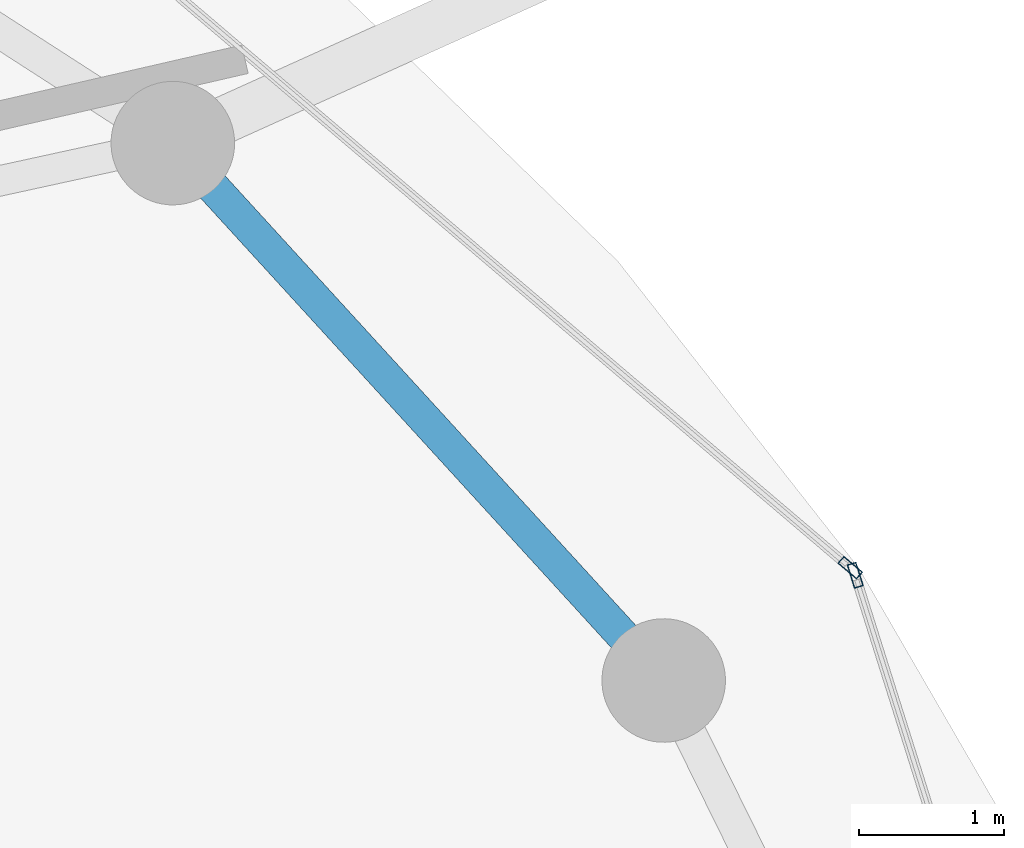
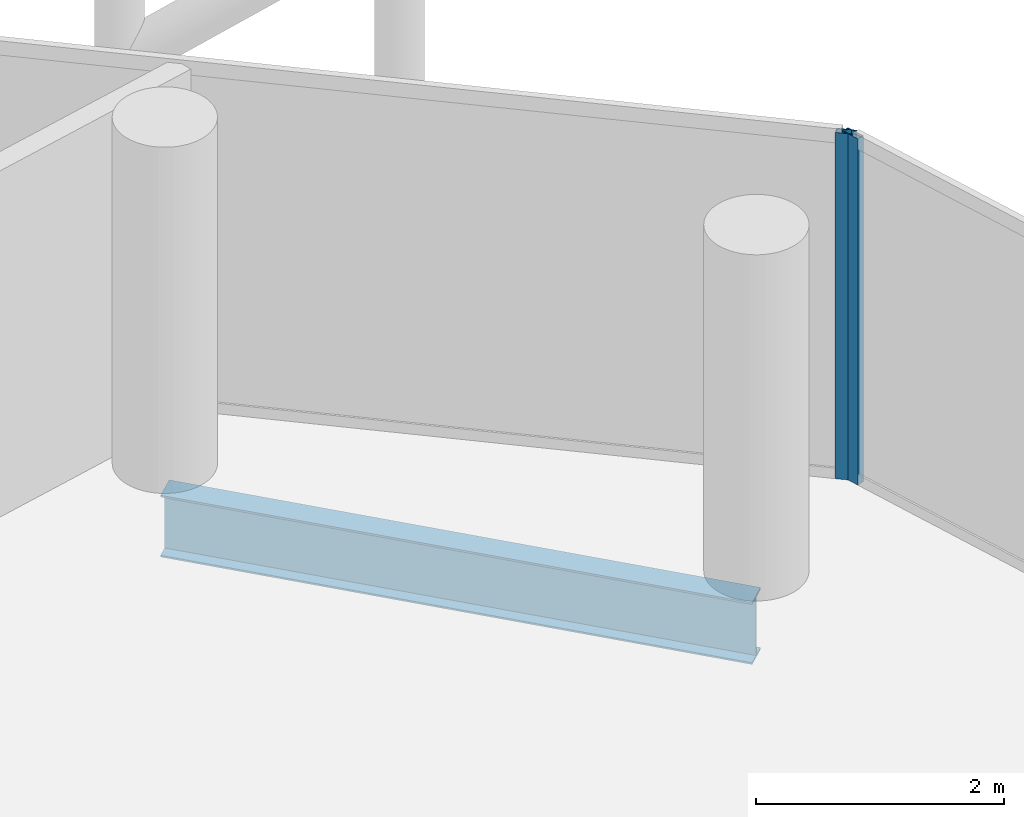
# One storey, part 17 of 27: 2 members, 1 beam, 2 elements without a shape of their own.
"""IFC4 building model written with IfcOpenShell, lengths in metres."""

import ifcopenshell
import ifcopenshell.guid

model = None  # the IFC model being written
_history = None  # IfcOwnerHistory: only IFC2X3 demands one
_inside = {}  # id of a spatial element -> (the spatial element, [elements in it])
_under = {}  # id of a project, library or spatial element -> (it, [spatial elements below it])
_declared = {}  # id of a project -> (the project, [libraries it declares])
_typed = {}  # id of a type object -> (the type object, [elements of that type])
_made_of = {}  # id of a material, layer set ... -> (it, [elements and type objects made of it])


def new_model(schema):
    """Start an empty IFC model of exactly this schema.

    Asked for "IFC4X3", IfcOpenShell would pick the latest addendum, in which some entities
    have other attributes; the version numbers below select the first issue.
    IFC2X3 requires an IfcOwnerHistory on every rooted entity: one is made here for all.
    """
    global model, _history
    if schema == "IFC4X3":
        model = ifcopenshell.file(schema_version=(4, 3, 0, 0))
    else:
        model = ifcopenshell.file(schema=schema)
    _inside.clear()
    _under.clear()
    _declared.clear()
    _typed.clear()
    _made_of.clear()
    _history = None
    if model.schema == "IFC2X3":
        org = make("IfcOrganization", Name="unknown")
        user = make(
            "IfcPersonAndOrganization",
            ThePerson=make("IfcPerson", FamilyName="unknown"),
            TheOrganization=org,
        )
        app = make(
            "IfcApplication",
            ApplicationDeveloper=org,
            Version="unknown",
            ApplicationFullName="unknown",
            ApplicationIdentifier="unknown",
        )
        _history = make(
            "IfcOwnerHistory",
            OwningUser=user,
            OwningApplication=app,
            ChangeAction="ADDED",
            CreationDate=0,
        )
    return model


def make(cls, **values):
    """One entity of the class cls with the attributes given. An attribute that is None is left unset."""
    return model.create_entity(
        cls, **{name: value for name, value in values.items() if value is not None}
    )


def rooted(cls, **values):
    """An entity with a GlobalId (a new one), such as an element, a storey or a relation."""
    return make(cls, GlobalId=ifcopenshell.guid.new(), OwnerHistory=_history, **values)


def si_unit(unit_type, name, prefix=None):
    """IfcSIUnit, for example si_unit("LENGTHUNIT", "METRE", prefix="MILLI")."""
    return make("IfcSIUnit", UnitType=unit_type, Prefix=prefix, Name=name)


def assignment(units):
    """IfcUnitAssignment: the units of a project."""
    return None if units is None else make("IfcUnitAssignment", Units=units)


def point(xyz):
    """IfcCartesianPoint."""
    return None if xyz is None else make("IfcCartesianPoint", Coordinates=xyz)


def direction(xyz):
    """IfcDirection."""
    return None if xyz is None else make("IfcDirection", DirectionRatios=xyz)


def frame(location, z_axis=None, x_axis=None):
    """IfcAxis2Placement3D, a coordinate frame: its origin and axes. An axis left out is left unset."""
    return make(
        "IfcAxis2Placement3D",
        Location=point(location),
        Axis=direction(z_axis),
        RefDirection=direction(x_axis),
    )


def frame_2d(location, x_axis=None):
    """IfcAxis2Placement2D, a coordinate frame in the plane: its origin and x axis."""
    return make(
        "IfcAxis2Placement2D", Location=point(location), RefDirection=direction(x_axis)
    )


def origin():
    """The frame at (0, 0, 0) with its axes left unset."""
    return frame((0.0, 0.0, 0.0))


def origin_2d():
    """The frame at (0, 0) in the plane with its x axis left unset."""
    return frame_2d((0.0, 0.0))


def place(relative_to, where):
    """IfcLocalPlacement: puts the frame where relative to a parent placement (None: the world)."""
    return make(
        "IfcLocalPlacement", PlacementRelTo=relative_to, RelativePlacement=where
    )


def context(
    kind, dimensions, precision=None, world=None, true_north=None, identifier=None
):
    """IfcGeometricRepresentationContext, for example the 3D "Model" context."""
    return make(
        "IfcGeometricRepresentationContext",
        ContextIdentifier=identifier,
        ContextType=kind,
        CoordinateSpaceDimension=dimensions,
        Precision=precision,
        WorldCoordinateSystem=world,
        TrueNorth=true_north,
    )


def subcontext(parent, identifier, kind, view, scale=None):
    """IfcGeometricRepresentationSubContext, for example "Body" below "Model"."""
    return make(
        "IfcGeometricRepresentationSubContext",
        ContextIdentifier=identifier,
        ContextType=kind,
        ParentContext=parent,
        TargetScale=scale,
        TargetView=view,
    )


def project(units=None, contexts=None):
    """IfcProject with its units and contexts."""
    return rooted(
        "IfcProject",
        Name="project",
        RepresentationContexts=contexts,
        UnitsInContext=assignment(units),
    )


def spatial(cls, under=None, at=None, **own):
    """A site, building, storey or space (cls), placed at a placement, below another one or the project."""
    s = rooted(cls, ObjectPlacement=at, **own)
    if under is not None:
        _under.setdefault(under.id(), (under, []))[1].append(s)
    return s


def profile(cls, at=None, kind="AREA", **sizes):
    """A parametric profile (cls). Its sizes go by their IFC names, for example OverallWidth=200.0."""
    return make(cls, ProfileType=kind, Position=at, **sizes)


def hollow_rectangle(**sizes):
    """IfcRectangleHollowProfileDef."""
    return profile("IfcRectangleHollowProfileDef", **sizes)


def i_section(**sizes):
    """IfcIShapeProfileDef."""
    return profile("IfcIShapeProfileDef", **sizes)


def extrude(swept, where, along, depth):
    """IfcExtrudedAreaSolid: the profile swept, set in the frame where, extruded along a direction by depth."""
    return make(
        "IfcExtrudedAreaSolid",
        SweptArea=swept,
        Position=where,
        ExtrudedDirection=direction(along),
        Depth=depth,
    )


def shape(context_of_items, identifier, shape_type, items):
    """IfcShapeRepresentation: the items that make up one representation, for example the "Body"."""
    return make(
        "IfcShapeRepresentation",
        ContextOfItems=context_of_items,
        RepresentationIdentifier=identifier,
        RepresentationType=shape_type,
        Items=items,
    )


def material(Name=None, Category=None):
    """IfcMaterial."""
    return make("IfcMaterial", Name=Name, Category=Category)


def layer(
    of_material, thickness, ventilated=None, Name=None, Category=None, Priority=None
):
    """IfcMaterialLayer: one layer of a wall or slab, of a material (None: an air gap)."""
    return make(
        "IfcMaterialLayer",
        Material=of_material,
        LayerThickness=thickness,
        IsVentilated=ventilated,
        Name=Name,
        Category=Category,
        Priority=Priority,
    )


def layer_set(layers, Name=None):
    """IfcMaterialLayerSet."""
    return make("IfcMaterialLayerSet", MaterialLayers=layers, LayerSetName=Name)


def material_profile(
    of_material, cross_section, Name=None, Category=None, Priority=None
):
    """IfcMaterialProfile: a cross section and its material."""
    return make(
        "IfcMaterialProfile",
        Name=Name,
        Material=of_material,
        Profile=cross_section,
        Priority=Priority,
        Category=Category,
    )


def profile_set(profiles, Name=None, composite=None):
    """IfcMaterialProfileSet."""
    return make(
        "IfcMaterialProfileSet",
        Name=Name,
        MaterialProfiles=profiles,
        CompositeProfile=composite,
    )


def made_of(thing, what):
    """Note that an element or type object is made of a material, layer set ...; save() writes the relation."""
    if what is not None:
        _made_of.setdefault(what.id(), (what, []))[1].append(thing)
    return thing


def type_object(cls, material=None, **own):
    """A type object (cls), such as IfcWallType, which elements share."""
    return made_of(rooted(cls, **own), material)


def element(
    cls,
    number,
    at=None,
    inside=None,
    cuts=None,
    type_object=None,
    material=None,
    context=None,
    identifier="Body",
    shape_type=None,
    held_by="IfcProductDefinitionShape",
    body=None,
    shapes=None,
    **own,
):
    """One element of the class cls, such as IfcWall. Its Tag is "e" and its number.

    at: its placement. inside: the storey or other place that contains it. cuts: it is an
    opening in that element (IfcRelVoidsElement). A single representation is given by context,
    identifier, shape_type and body (its items); several are given by shapes. held_by: the class
    of the entity that holds the representations. save() writes the other relations.
    """
    e = rooted(cls, Tag="e%d" % number, ObjectPlacement=at, **own)
    if body is not None:
        shapes = [shape(context, identifier, shape_type, body)]
    if shapes is not None:
        e.Representation = make(held_by, Representations=shapes)
    if inside is not None:
        _inside.setdefault(inside.id(), (inside, []))[1].append(e)
    if cuts is not None:
        rooted(
            "IfcRelVoidsElement", RelatingBuildingElement=cuts, RelatedOpeningElement=e
        )
    if type_object is not None:
        _typed.setdefault(type_object.id(), (type_object, []))[1].append(e)
    return made_of(e, material)


def aggregate(whole, parts):
    """IfcRelAggregates: a whole, such as a stair, and the parts it consists of."""
    return rooted("IfcRelAggregates", RelatingObject=whole, RelatedObjects=parts)


def save(model, path):
    """Write the relations noted so far, then the file.

    IfcRelAggregates (storeys below a building ...), IfcRelContainedInSpatialStructure (elements
    in a storey), IfcRelDefinesByType, IfcRelAssociatesMaterial and IfcRelDeclares: one each for
    every whole, place, type object, material and project.
    """
    for whole, parts in _under.values():
        aggregate(whole, parts)
    for where, things in _inside.values():
        rooted(
            "IfcRelContainedInSpatialStructure",
            RelatedElements=things,
            RelatingStructure=where,
        )
    for kind, things in _typed.values():
        rooted("IfcRelDefinesByType", RelatedObjects=things, RelatingType=kind)
    for what, things in _made_of.values():
        rooted("IfcRelAssociatesMaterial", RelatedObjects=things, RelatingMaterial=what)
    for by, libraries in _declared.values():
        rooted("IfcRelDeclares", RelatingContext=by, RelatedDefinitions=libraries)
    model.write(path)


model = new_model("IFC4")

# Units and contexts
model_context = context("Model", 3, precision=1e-05, world=origin(), true_north=direction((0.0, 1.0)))
body_context = subcontext(model_context, "Body", "Model", "MODEL_VIEW")
ifc_project = project(units=[si_unit("LENGTHUNIT", "METRE"), si_unit("AREAUNIT", "SQUARE_METRE"), si_unit("VOLUMEUNIT", "CUBIC_METRE"), si_unit("PLANEANGLEUNIT", "RADIAN"), si_unit("MASSUNIT", "GRAM", prefix="KILO")], contexts=[model_context])

# Site, building, storey
site_placement = place(None, origin())
site = spatial("IfcSite", under=ifc_project, at=site_placement, CompositionType="ELEMENT")
building_placement = place(site_placement, origin())
building = spatial("IfcBuilding", under=site, at=building_placement, Name="Nuhasar Tower", CompositionType="ELEMENT")
storey_placement = place(building_placement, frame((0.0, 0.0, 215.449951171875)))
storey = spatial("IfcBuildingStorey", under=building, at=storey_placement, Name="L52", CompositionType="ELEMENT", Elevation=215.449951171875)

# Beam
ifc_material_1 = material(Name="Steel S355", Category="steel")
ifc_material_profile_1 = material_profile(ifc_material_1, i_section(OverallWidth=0.22802734375, OverallDepth=0.60791015625, WebThickness=0.01123046875, FlangeThickness=0.017333984375, at=origin_2d()), Name="W24X76")
ifc_profile_set_1 = profile_set([ifc_material_profile_1], Name="Steel S355")
beam_type = type_object("IfcBeamType", Name="BM-RING-W24X76", PredefinedType="SPANDREL", material=ifc_profile_set_1)
beam_placement = place(storey_placement, frame((57.403076171875, 35.72509765625, -0.5439453125), z_axis=(-0.674449692975, 0.738320805373, 0.0), x_axis=(-0.738320805373, -0.674449692975, 0.0)))
element("IfcBeam", 1, at=beam_placement, inside=storey, type_object=beam_type, Name="L52 Perimeter Ring Spandrel 03", PredefinedType="SPANDREL", context=body_context, shape_type="SweptSolid", body=[
    extrude(i_section(OverallWidth=0.22802734375, OverallDepth=0.60791015625, WebThickness=0.01123046875, FlangeThickness=0.017333984375, at=origin_2d()), origin(), (0.0, 0.0, 1.0), 5.00732421875),
])

# Curtain wall, member
ifc_material_2 = material(Name="Aluminium 6063-T6", Category="aluminium")
ifc_layer = layer(ifc_material_2, 0.18994140625)
ifc_layer_set = layer_set([ifc_layer], Name="Aluminium 6063-T6")
curtain_wall_type = type_object("IfcCurtainWallType", Name="CW-Z3-RES", PredefinedType="NOTDEFINED", material=ifc_layer_set)
curtain_wall_1_placement = place(storey_placement, origin())
curtain_wall_1 = element("IfcCurtainWall", 2, at=curtain_wall_1_placement, inside=storey, type_object=curtain_wall_type, Name="L52 Unitised Curtain Wall 01", PredefinedType="NOTDEFINED")
ifc_material_profile_2 = material_profile(ifc_material_2, hollow_rectangle(XDim=0.06494140625, YDim=0.169921875, WallThickness=0.0048828125, at=origin_2d()), Name="CWM-4")
ifc_profile_set_2 = profile_set([ifc_material_profile_2], Name="Aluminium 6063-T6")
member_type = type_object("IfcMemberType", Name="CW-MUL-S4", PredefinedType="MULLION", material=ifc_profile_set_2)
member_1_placement = place(storey_placement, frame((58.720703125, 36.448974609375, 0.0), z_axis=(0.0, 0.0, 1.0), x_axis=(-0.95380429279, -0.30042864553, 0.0)))
member_1 = element("IfcMember", 3, at=member_1_placement, type_object=member_type, Name="CW-Z3 mullion 2", PredefinedType="MULLION", context=body_context, shape_type="SweptSolid", body=[
    extrude(hollow_rectangle(XDim=0.06494140625, YDim=0.169921875, WallThickness=0.0048828125, at=origin_2d()), origin(), (0.0, 0.0, 1.0), 3.41015625),
])
aggregate(curtain_wall_1, [member_1])

curtain_wall_2_placement = place(storey_placement, origin())
curtain_wall_2 = element("IfcCurtainWall", 4, at=curtain_wall_2_placement, inside=storey, type_object=curtain_wall_type, Name="L52 Unitised Curtain Wall 02", PredefinedType="NOTDEFINED")
member_2_placement = place(storey_placement, frame((58.686279296875, 36.5009765625, 0.0), z_axis=(0.0, 0.0, 1.0), x_axis=(-0.64789521578, -0.761729472562, 0.0)))
member_2 = element("IfcMember", 5, at=member_2_placement, type_object=member_type, Name="CW-Z3 mullion 1", PredefinedType="MULLION", context=body_context, shape_type="SweptSolid", body=[
    extrude(hollow_rectangle(XDim=0.06494140625, YDim=0.169921875, WallThickness=0.0048828125, at=origin_2d()), origin(), (0.0, 0.0, 1.0), 3.41015625),
])
aggregate(curtain_wall_2, [member_2])

save(model, "model.ifc")
